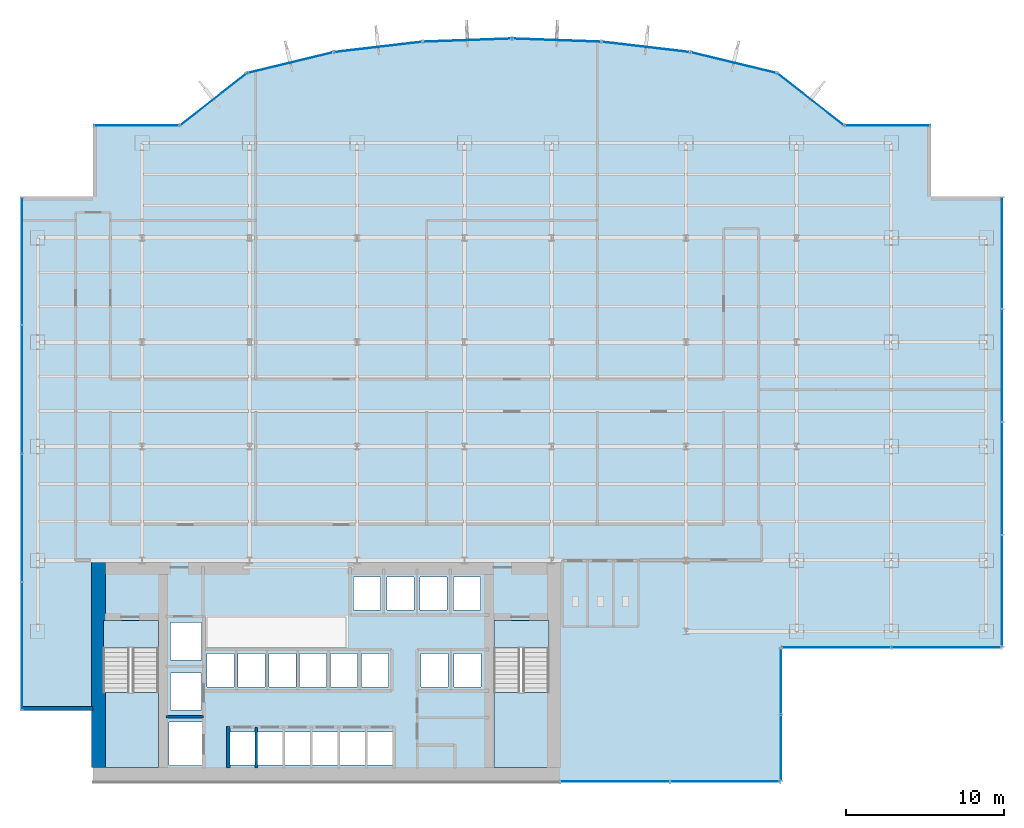
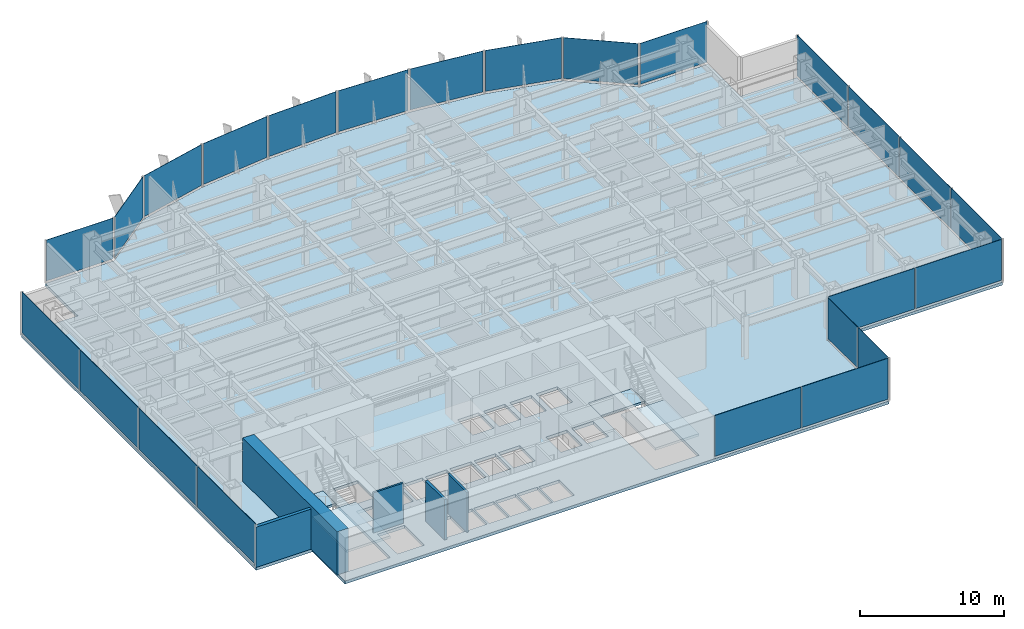
# One storey, part 16 of 22: 24 plates, 5 slabs, 5 walls, 17 elements without a shape of their own.
"""IFC4 building model written with IfcOpenShell, lengths in metres."""

from ifc_helpers import new_model, si_unit, derived_unit, direction, frame, frame_2d, origin, origin_2d, place, context, subcontext, project, spatial, polyline, rectangle, outline, extrude, source, transform, mapped, material, layer, layer_set, type_object, element, aggregate, save


model = new_model("IFC4")

# Units and contexts
model_context = context("Model", 3, precision=1e-05, world=origin(), true_north=direction((0.0, 1.0)))
body_context = subcontext(model_context, "Body", "Model", "MODEL_VIEW")
ifc_project = project(units=[si_unit("LENGTHUNIT", "METRE"), si_unit("AREAUNIT", "SQUARE_METRE"), si_unit("VOLUMEUNIT", "CUBIC_METRE"), si_unit("PLANEANGLEUNIT", "RADIAN"), si_unit("MASSUNIT", "GRAM", prefix="KILO"), derived_unit("THERMALTRANSMITTANCEUNIT", [(si_unit("POWERUNIT", "WATT"), 1), (si_unit("LENGTHUNIT", "METRE"), -2), (si_unit("THERMODYNAMICTEMPERATUREUNIT", "KELVIN"), -1)])], contexts=[model_context])

# Site, building, storey
site_placement = place(None, origin())
site = spatial("IfcSite", under=ifc_project, at=site_placement, CompositionType="ELEMENT")
building_placement = place(site_placement, origin())
building = spatial("IfcBuilding", under=site, at=building_placement, Name="Skarnbrae Concourse Arena and Tower", CompositionType="ELEMENT")
storey_placement = place(building_placement, frame((0.0, 0.0, 69.0)))
storey = spatial("IfcBuildingStorey", under=building, at=storey_placement, Name="L16", CompositionType="ELEMENT", Elevation=69.0)

# Stair, slab
ifc_material_1 = material(Name="Concrete 40 MPa (C40/50)", Category="concrete")
stair_type = type_object("IfcStairType", Name="STAIR-DOGLEG-1650", PredefinedType="HALF_TURN_STAIR", material=ifc_material_1)
stair_1_placement = place(storey_placement, origin())
stair_1 = element("IfcStair", 1, at=stair_1_placement, inside=storey, type_object=stair_type, Name="L16 Protected Exit Stair ST-1", PredefinedType="HALF_TURN_STAIR")
ifc_layer_1 = layer(ifc_material_1, 0.199951171875)
ifc_layer_set_1 = layer_set([ifc_layer_1], Name="Concrete 40 MPa (C40/50)")
slab_type_1 = type_object("IfcSlabType", Name="SLAB-LANDING-200", PredefinedType="LANDING", material=ifc_layer_set_1)
slab_1_placement = place(storey_placement, frame((0.0, 0.0, 1.625)))
slab_1 = element("IfcSlab", 2, at=slab_1_placement, type_object=slab_type_1, Name="ST-1 landing 1", PredefinedType="LANDING", context=body_context, shape_type="SweptSolid", body=[
    extrude(outline(polyline([(5.14990234375, 5.64990234375), (5.14990234375, 0.89990234375), (8.64990234375, 0.89990234375), (8.64990234375, 5.64990234375), (5.14990234375, 5.64990234375)])), origin(), (0.0, 0.0, 1.0), 0.199951171875),
])
aggregate(stair_1, [slab_1])

stair_2_placement = place(storey_placement, origin())
stair_2 = element("IfcStair", 3, at=stair_2_placement, inside=storey, type_object=stair_type, Name="L16 Protected Exit Stair ST-2", PredefinedType="HALF_TURN_STAIR")
slab_2_placement = place(storey_placement, frame((0.0, 0.0, 1.625)))
slab_2 = element("IfcSlab", 4, at=slab_2_placement, type_object=slab_type_1, Name="ST-2 landing 1", PredefinedType="LANDING", context=body_context, shape_type="SweptSolid", body=[
    extrude(outline(polyline([(29.85009765625, 5.64990234375), (29.85009765625, 0.89990234375), (33.35009765625, 0.89990234375), (33.35009765625, 5.64990234375), (29.85009765625, 5.64990234375)])), origin(), (0.0, 0.0, 1.0), 0.199951171875),
])
aggregate(stair_2, [slab_2])

# Slabs
slab_3_placement = place(storey_placement, frame((0.0, 0.0, -0.199951171875)))
element("IfcSlab", 5, at=slab_3_placement, inside=storey, type_object=slab_type_1, Name="L16 Core stair ST1 floor landing", PredefinedType="LANDING", context=body_context, shape_type="SweptSolid", body=[
    extrude(outline(polyline([(5.14990234375, 10.199951171875), (5.14990234375, 8.449951171875), (8.64990234375, 8.449951171875), (8.64990234375, 10.199951171875), (5.14990234375, 10.199951171875)])), origin(), (0.0, 0.0, 1.0), 0.199951171875),
])
slab_4_placement = place(storey_placement, frame((0.0, 0.0, -0.199951171875)))
element("IfcSlab", 6, at=slab_4_placement, inside=storey, type_object=slab_type_1, Name="L16 Core stair ST2 floor landing", PredefinedType="LANDING", context=body_context, shape_type="SweptSolid", body=[
    extrude(outline(polyline([(29.85009765625, 10.199951171875), (29.85009765625, 8.449951171875), (33.35009765625, 8.449951171875), (33.35009765625, 10.199951171875), (29.85009765625, 10.199951171875)])), origin(), (0.0, 0.0, 1.0), 0.199951171875),
])
ifc_layer_2 = layer(ifc_material_1, 0.25)
ifc_layer_set_2 = layer_set([ifc_layer_2], Name="Concrete 40 MPa (C40/50)")
slab_type_2 = type_object("IfcSlabType", Name="SLAB-TOWER-250", PredefinedType="FLOOR", material=ifc_layer_set_2)
slab_5_placement = place(storey_placement, frame((0.0, 0.0, -0.25)))
element("IfcSlab", 7, at=slab_5_placement, inside=storey, type_object=slab_type_2, Name="L16 Structural floor slab", PredefinedType="FLOOR", context=body_context, shape_type="SweptSolid", body=[
    extrude(outline(polyline([(4.5, 0.0), (48.0, 0.0), (48.0, 8.5), (62.0, 8.5), (62.0, 37.0), (57.5, 37.0), (57.5, 41.5), (52.0, 41.5), (47.766357421875, 44.811767578125), (42.2724609375, 46.140380859375), (36.65380859375, 46.796875), (31.0, 47.0), (25.34619140625, 46.796875), (19.7275390625, 46.140380859375), (14.233642578125, 44.811767578125), (10.0, 41.5), (4.5, 41.5), (4.5, 37.0), (0.0, 37.0), (0.0, 4.5), (4.5, 4.5), (4.5, 0.0)]), holes=[polyline([(13.14501953125, 3.155029296875), (14.7548828125, 3.155029296875), (14.7548828125, 1.044921875), (13.14501953125, 1.044921875), (13.14501953125, 3.155029296875)]), polyline([(16.4951171875, 3.155029296875), (16.4951171875, 1.044921875), (14.885009765625, 1.044921875), (14.885009765625, 3.155029296875), (16.4951171875, 3.155029296875)]), polyline([(18.235107421875, 3.155029296875), (18.235107421875, 1.044921875), (16.625, 1.044921875), (16.625, 3.155029296875), (18.235107421875, 3.155029296875)]), polyline([(18.364990234375, 3.155029296875), (19.97509765625, 3.155029296875), (19.97509765625, 1.044921875), (18.364990234375, 1.044921875), (18.364990234375, 3.155029296875)]), polyline([(11.455078125, 3.780029296875), (11.455078125, 1.02001953125), (9.294921875, 1.02001953125), (9.294921875, 3.780029296875), (11.455078125, 3.780029296875)]), polyline([(8.64990234375, 0.89990234375), (5.14990234375, 0.89990234375), (5.14990234375, 10.199951171875), (8.64990234375, 10.199951171875), (8.64990234375, 0.89990234375)]), polyline([(9.39501953125, 6.8798828125), (11.35498046875, 6.8798828125), (11.35498046875, 4.52001953125), (9.39501953125, 4.52001953125), (9.39501953125, 6.8798828125)]), polyline([(13.429931640625, 8.10498046875), (13.429931640625, 5.9951171875), (11.719970703125, 5.9951171875), (11.719970703125, 8.10498046875), (13.429931640625, 8.10498046875)]), polyline([(15.3798828125, 8.10498046875), (15.3798828125, 5.9951171875), (13.669921875, 5.9951171875), (13.669921875, 8.10498046875), (15.3798828125, 8.10498046875)]), polyline([(15.6201171875, 8.10498046875), (17.330078125, 8.10498046875), (17.330078125, 5.9951171875), (15.6201171875, 5.9951171875), (15.6201171875, 8.10498046875)]), polyline([(19.280029296875, 8.10498046875), (19.280029296875, 5.9951171875), (17.570068359375, 5.9951171875), (17.570068359375, 8.10498046875), (19.280029296875, 8.10498046875)]), polyline([(11.35498046875, 10.054931640625), (11.35498046875, 7.695068359375), (9.39501953125, 7.695068359375), (9.39501953125, 10.054931640625), (11.35498046875, 10.054931640625)]), polyline([(21.715087890625, 3.155029296875), (21.715087890625, 1.044921875), (20.10498046875, 1.044921875), (20.10498046875, 3.155029296875), (21.715087890625, 3.155029296875)]), polyline([(23.455078125, 3.155029296875), (23.455078125, 1.044921875), (21.844970703125, 1.044921875), (21.844970703125, 3.155029296875), (23.455078125, 3.155029296875)]), polyline([(33.35009765625, 10.199951171875), (33.35009765625, 0.89990234375), (29.85009765625, 0.89990234375), (29.85009765625, 10.199951171875), (33.35009765625, 10.199951171875)]), polyline([(21.22998046875, 8.10498046875), (21.22998046875, 5.9951171875), (19.52001953125, 5.9951171875), (19.52001953125, 8.10498046875), (21.22998046875, 8.10498046875)]), polyline([(23.179931640625, 8.10498046875), (23.179931640625, 5.9951171875), (21.469970703125, 5.9951171875), (21.469970703125, 8.10498046875), (23.179931640625, 8.10498046875)]), polyline([(25.235107421875, 8.10498046875), (26.945068359375, 8.10498046875), (26.945068359375, 5.9951171875), (25.235107421875, 5.9951171875), (25.235107421875, 8.10498046875)]), polyline([(29.044921875, 8.10498046875), (29.044921875, 5.9951171875), (27.3349609375, 5.9951171875), (27.3349609375, 8.10498046875), (29.044921875, 8.10498046875)]), polyline([(22.695068359375, 12.955078125), (22.695068359375, 10.844970703125), (20.985107421875, 10.844970703125), (20.985107421875, 12.955078125), (22.695068359375, 12.955078125)]), polyline([(23.0849609375, 12.955078125), (24.794921875, 12.955078125), (24.794921875, 10.844970703125), (23.0849609375, 10.844970703125), (23.0849609375, 12.955078125)]), polyline([(26.89501953125, 12.955078125), (26.89501953125, 10.844970703125), (25.18505859375, 10.844970703125), (25.18505859375, 12.955078125), (26.89501953125, 12.955078125)]), polyline([(28.9951171875, 12.955078125), (28.9951171875, 10.844970703125), (27.284912109375, 10.844970703125), (27.284912109375, 12.955078125), (28.9951171875, 12.955078125)])]), origin(), (0.0, 0.0, 1.0), 0.25),
])

# Curtain wall, plates
ifc_material_2 = material(Name="Bronze anodised aluminium 6063-T6", Category="aluminium")
curtain_wall_type = type_object("IfcCurtainWallType", Name="CW-SYS-02-LOWZONE", PredefinedType="USERDEFINED", material=ifc_material_2)
curtain_wall_1_placement = place(storey_placement, origin())
curtain_wall_1 = element("IfcCurtainWall", 8, at=curtain_wall_1_placement, inside=storey, type_object=curtain_wall_type, Name="L16 Unitised curtain wall CW-L16-SE-SPINE", ObjectType="UNITISED CURTAIN WALL", PredefinedType="USERDEFINED")
ifc_material_3 = material(Name="Low-E triple insulating glass", Category="glass")
ifc_layer_3 = layer(ifc_material_3, 0.031982421875)
ifc_layer_set_3 = layer_set([ifc_layer_3], Name="Low-E triple insulating glass")
plate_type = type_object("IfcPlateType", Name="CWP-CW-02", PredefinedType="CURTAIN_PANEL", material=ifc_layer_set_3)
shared_shape_1 = source(origin(), body_context, "Body", "SweptSolid", [
    extrude(rectangle(XDim=6.8798828125, YDim=0.031982421875, at=origin_2d()), origin(), (0.0, 0.0, 1.0), 3.4599609375),
])
plate_1_placement = place(storey_placement, frame((37.52001953125, 0.0, 0.18994140625), z_axis=(0.0, 0.0, 1.0), x_axis=(1.0, 0.0, 0.0)))
plate_1 = element("IfcPlate", 9, at=plate_1_placement, type_object=plate_type, Name="CW-L16-SE-SPINE Low-E Glazing Panel 1", PredefinedType="CURTAIN_PANEL", context=body_context, shape_type="MappedRepresentation", body=[
    mapped(shared_shape_1, transform((0.0, 0.0, 0.0))),
])
plate_2_placement = place(storey_placement, frame((44.47998046875, 0.0, 0.18994140625), z_axis=(0.0, 0.0, 1.0), x_axis=(1.0, 0.0, 0.0)))
plate_2 = element("IfcPlate", 10, at=plate_2_placement, type_object=plate_type, Name="CW-L16-SE-SPINE Low-E Glazing Panel 2", PredefinedType="CURTAIN_PANEL", context=body_context, shape_type="MappedRepresentation", body=[
    mapped(shared_shape_1, transform((0.0, 0.0, 0.0))),
])
aggregate(curtain_wall_1, [plate_1, plate_2])

curtain_wall_2_placement = place(storey_placement, origin())
curtain_wall_2 = element("IfcCurtainWall", 11, at=curtain_wall_2_placement, inside=storey, type_object=curtain_wall_type, Name="L16 Unitised curtain wall CW-L16-E03", ObjectType="UNITISED CURTAIN WALL", PredefinedType="USERDEFINED")
plate_3_placement = place(storey_placement, frame((51.52001953125, 8.5, 0.18994140625), z_axis=(0.0, 0.0, 1.0), x_axis=(1.0, 0.0, 0.0)))
plate_3 = element("IfcPlate", 12, at=plate_3_placement, type_object=plate_type, Name="CW-L16-E03 Low-E Glazing Panel 1", PredefinedType="CURTAIN_PANEL", context=body_context, shape_type="MappedRepresentation", body=[
    mapped(shared_shape_1, transform((0.0, 0.0, 0.0))),
])
plate_4_placement = place(storey_placement, frame((58.47998046875, 8.5, 0.18994140625), z_axis=(0.0, 0.0, 1.0), x_axis=(1.0, 0.0, 0.0)))
plate_4 = element("IfcPlate", 13, at=plate_4_placement, type_object=plate_type, Name="CW-L16-E03 Low-E Glazing Panel 2", PredefinedType="CURTAIN_PANEL", context=body_context, shape_type="MappedRepresentation", body=[
    mapped(shared_shape_1, transform((0.0, 0.0, 0.0))),
])
aggregate(curtain_wall_2, [plate_3, plate_4])

curtain_wall_3_placement = place(storey_placement, origin())
curtain_wall_3 = element("IfcCurtainWall", 14, at=curtain_wall_3_placement, inside=storey, type_object=curtain_wall_type, Name="L16 Unitised curtain wall CW-L16-E02", ObjectType="UNITISED CURTAIN WALL", PredefinedType="USERDEFINED")
shared_shape_2 = source(origin(), body_context, "Body", "SweptSolid", [
    extrude(rectangle(XDim=4.1298828125, YDim=0.031982421875, at=origin_2d()), origin(), (0.0, 0.0, 1.0), 3.4599609375),
])
plate_5_placement = place(storey_placement, frame((48.0, 2.14501953125, 0.18994140625), z_axis=(0.0, 0.0, 1.0), x_axis=(0.0, 1.0, 0.0)))
plate_5 = element("IfcPlate", 15, at=plate_5_placement, type_object=plate_type, Name="CW-L16-E02 Low-E Glazing Panel 1", PredefinedType="CURTAIN_PANEL", context=body_context, shape_type="MappedRepresentation", body=[
    mapped(shared_shape_2, transform((0.0, 0.0, 0.0))),
])
plate_6_placement = place(storey_placement, frame((48.0, 6.35498046875, 0.18994140625), z_axis=(0.0, 0.0, 1.0), x_axis=(0.0, 1.0, 0.0)))
plate_6 = element("IfcPlate", 16, at=plate_6_placement, type_object=plate_type, Name="CW-L16-E02 Low-E Glazing Panel 2", PredefinedType="CURTAIN_PANEL", context=body_context, shape_type="MappedRepresentation", body=[
    mapped(shared_shape_2, transform((0.0, 0.0, 0.0))),
])
aggregate(curtain_wall_3, [plate_5, plate_6])

curtain_wall_4_placement = place(storey_placement, origin())
curtain_wall_4 = element("IfcCurtainWall", 17, at=curtain_wall_4_placement, inside=storey, type_object=curtain_wall_type, Name="L16 Unitised curtain wall CW-L16-E04", ObjectType="UNITISED CURTAIN WALL", PredefinedType="USERDEFINED")
shared_shape_3 = source(origin(), body_context, "Body", "SweptSolid", [
    extrude(rectangle(XDim=7.0048828125, YDim=0.031982421875, at=origin_2d()), origin(), (0.0, 0.0, 1.0), 3.4599609375),
])
plate_7_placement = place(storey_placement, frame((62.0, 12.08251953125, 0.18994140625), z_axis=(0.0, 0.0, 1.0), x_axis=(0.0, 1.0, 0.0)))
plate_7 = element("IfcPlate", 18, at=plate_7_placement, type_object=plate_type, Name="CW-L16-E04 Low-E Glazing Panel 1", PredefinedType="CURTAIN_PANEL", context=body_context, shape_type="MappedRepresentation", body=[
    mapped(shared_shape_3, transform((0.0, 0.0, 0.0))),
])
plate_8_placement = place(storey_placement, frame((62.0, 33.41748046875, 0.18994140625), z_axis=(0.0, 0.0, 1.0), x_axis=(0.0, 1.0, 0.0)))
plate_8 = element("IfcPlate", 19, at=plate_8_placement, type_object=plate_type, Name="CW-L16-E04 Low-E Glazing Panel 4", PredefinedType="CURTAIN_PANEL", context=body_context, shape_type="MappedRepresentation", body=[
    mapped(shared_shape_3, transform((0.0, 0.0, 0.0))),
])
shared_shape_4 = source(origin(), body_context, "Body", "SweptSolid", [
    extrude(rectangle(XDim=7.044921875, YDim=0.031982421875, at=origin_2d()), origin(), (0.0, 0.0, 1.0), 3.4599609375),
])
plate_9_placement = place(storey_placement, frame((62.0, 19.1875, 0.18994140625), z_axis=(0.0, 0.0, 1.0), x_axis=(0.0, 1.0, 0.0)))
plate_9 = element("IfcPlate", 20, at=plate_9_placement, type_object=plate_type, Name="CW-L16-E04 Low-E Glazing Panel 2", PredefinedType="CURTAIN_PANEL", context=body_context, shape_type="MappedRepresentation", body=[
    mapped(shared_shape_4, transform((0.0, 0.0, 0.0))),
])
plate_10_placement = place(storey_placement, frame((62.0, 26.3125, 0.18994140625), z_axis=(0.0, 0.0, 1.0), x_axis=(0.0, 1.0, 0.0)))
plate_10 = element("IfcPlate", 21, at=plate_10_placement, type_object=plate_type, Name="CW-L16-E04 Low-E Glazing Panel 3", PredefinedType="CURTAIN_PANEL", context=body_context, shape_type="MappedRepresentation", body=[
    mapped(shared_shape_4, transform((0.0, 0.0, 0.0))),
])
aggregate(curtain_wall_4, [plate_7, plate_9, plate_10, plate_8])

# Curtain wall, plate
curtain_wall_5_placement = place(storey_placement, origin())
curtain_wall_5 = element("IfcCurtainWall", 22, at=curtain_wall_5_placement, inside=storey, type_object=curtain_wall_type, Name="L16 Unitised curtain wall CW-L16-E07", ObjectType="UNITISED CURTAIN WALL", PredefinedType="USERDEFINED")
shared_shape_5 = source(origin(), body_context, "Body", "SweptSolid", [
    extrude(rectangle(XDim=5.340087890625, YDim=0.031982421875, at=origin_2d()), origin(), (0.0, 0.0, 1.0), 3.4599609375),
])
plate_11_placement = place(storey_placement, frame((54.75, 41.5, 0.18994140625), z_axis=(0.0, 0.0, 1.0), x_axis=(-1.0, 0.0, 0.0)))
plate_11 = element("IfcPlate", 23, at=plate_11_placement, type_object=plate_type, Name="CW-L16-E07 Low-E Glazing Panel 1", PredefinedType="CURTAIN_PANEL", context=body_context, shape_type="MappedRepresentation", body=[
    mapped(shared_shape_5, transform((0.0, 0.0, 0.0))),
])
aggregate(curtain_wall_5, [plate_11])

curtain_wall_6_placement = place(storey_placement, origin())
curtain_wall_6 = element("IfcCurtainWall", 24, at=curtain_wall_6_placement, inside=storey, type_object=curtain_wall_type, Name="L16 Unitised curtain wall CW-L16-E16", ObjectType="UNITISED CURTAIN WALL", PredefinedType="USERDEFINED")
plate_12_placement = place(storey_placement, frame((7.25, 41.5, 0.18994140625), z_axis=(0.0, 0.0, 1.0), x_axis=(-1.0, 0.0, 0.0)))
plate_12 = element("IfcPlate", 25, at=plate_12_placement, type_object=plate_type, Name="CW-L16-E16 Low-E Glazing Panel 1", PredefinedType="CURTAIN_PANEL", context=body_context, shape_type="MappedRepresentation", body=[
    mapped(shared_shape_5, transform((0.0, 0.0, 0.0))),
])
aggregate(curtain_wall_6, [plate_12])

curtain_wall_7_placement = place(storey_placement, origin())
curtain_wall_7 = element("IfcCurtainWall", 26, at=curtain_wall_7_placement, inside=storey, type_object=curtain_wall_type, Name="L16 Unitised curtain wall CW-L16-E08", ObjectType="UNITISED CURTAIN WALL", PredefinedType="USERDEFINED")
shared_shape_6 = source(origin(), body_context, "Body", "SweptSolid", [
    extrude(rectangle(XDim=5.215087890625, YDim=0.031982421875, at=origin_2d()), origin(), (0.0, 0.0, 1.0), 3.4599609375),
])
plate_13_placement = place(storey_placement, frame((49.88330078125, 43.156005859375, 0.18994140625), z_axis=(0.0, 0.0, 1.0), x_axis=(-0.787651726054, 0.616120733658, 0.0)))
plate_13 = element("IfcPlate", 27, at=plate_13_placement, type_object=plate_type, Name="CW-L16-E08 Low-E Glazing Panel 1", PredefinedType="CURTAIN_PANEL", context=body_context, shape_type="MappedRepresentation", body=[
    mapped(shared_shape_6, transform((0.0, 0.0, 0.0))),
])
aggregate(curtain_wall_7, [plate_13])

curtain_wall_8_placement = place(storey_placement, origin())
curtain_wall_8 = element("IfcCurtainWall", 28, at=curtain_wall_8_placement, inside=storey, type_object=curtain_wall_type, Name="L16 Unitised curtain wall CW-L16-E15", ObjectType="UNITISED CURTAIN WALL", PredefinedType="USERDEFINED")
plate_14_placement = place(storey_placement, frame((12.11669921875, 43.156005859375, 0.18994140625), z_axis=(0.0, 0.0, 1.0), x_axis=(-0.787651726054, -0.616120733658, 0.0)))
plate_14 = element("IfcPlate", 29, at=plate_14_placement, type_object=plate_type, Name="CW-L16-E15 Low-E Glazing Panel 1", PredefinedType="CURTAIN_PANEL", context=body_context, shape_type="MappedRepresentation", body=[
    mapped(shared_shape_6, transform((0.0, 0.0, 0.0))),
])
aggregate(curtain_wall_8, [plate_14])

curtain_wall_9_placement = place(storey_placement, origin())
curtain_wall_9 = element("IfcCurtainWall", 30, at=curtain_wall_9_placement, inside=storey, type_object=curtain_wall_type, Name="L16 Unitised curtain wall CW-L16-E09", ObjectType="UNITISED CURTAIN WALL", PredefinedType="USERDEFINED")
shared_shape_7 = source(origin(), body_context, "Body", "SweptSolid", [
    extrude(rectangle(XDim=5.4921875, YDim=0.031982421875, at=origin_2d()), origin(), (0.0, 0.0, 1.0), 3.4599609375),
])
plate_15_placement = place(storey_placement, frame((45.019287109375, 45.47607421875, 0.18994140625), z_axis=(0.0, 0.0, 1.0), x_axis=(-0.971973721569, 0.235089524607, 0.0)))
plate_15 = element("IfcPlate", 31, at=plate_15_placement, type_object=plate_type, Name="CW-L16-E09 Low-E Glazing Panel 1", PredefinedType="CURTAIN_PANEL", context=body_context, shape_type="MappedRepresentation", body=[
    mapped(shared_shape_7, transform((0.0, 0.0, 0.0))),
])
aggregate(curtain_wall_9, [plate_15])

curtain_wall_10_placement = place(storey_placement, origin())
curtain_wall_10 = element("IfcCurtainWall", 32, at=curtain_wall_10_placement, inside=storey, type_object=curtain_wall_type, Name="L16 Unitised curtain wall CW-L16-E14", ObjectType="UNITISED CURTAIN WALL", PredefinedType="USERDEFINED")
plate_16_placement = place(storey_placement, frame((16.980712890625, 45.47607421875, 0.18994140625), z_axis=(0.0, 0.0, 1.0), x_axis=(-0.971973721569, -0.235089524607, 0.0)))
plate_16 = element("IfcPlate", 33, at=plate_16_placement, type_object=plate_type, Name="CW-L16-E14 Low-E Glazing Panel 1", PredefinedType="CURTAIN_PANEL", context=body_context, shape_type="MappedRepresentation", body=[
    mapped(shared_shape_7, transform((0.0, 0.0, 0.0))),
])
aggregate(curtain_wall_10, [plate_16])

curtain_wall_11_placement = place(storey_placement, origin())
curtain_wall_11 = element("IfcCurtainWall", 34, at=curtain_wall_11_placement, inside=storey, type_object=curtain_wall_type, Name="L16 Unitised curtain wall CW-L16-E10", ObjectType="UNITISED CURTAIN WALL", PredefinedType="USERDEFINED")
shared_shape_8 = source(origin(), body_context, "Body", "SweptSolid", [
    extrude(rectangle(XDim=5.49658203125, YDim=0.031982421875, at=origin_2d()), origin(), (0.0, 0.0, 1.0), 3.4599609375),
])
plate_17_placement = place(storey_placement, frame((39.463134765625, 46.46875, 0.18994140625), z_axis=(0.0, 0.0, 1.0), x_axis=(-0.99324457001, 0.116039752435, 0.0)))
plate_17 = element("IfcPlate", 35, at=plate_17_placement, type_object=plate_type, Name="CW-L16-E10 Low-E Glazing Panel 1", PredefinedType="CURTAIN_PANEL", context=body_context, shape_type="MappedRepresentation", body=[
    mapped(shared_shape_8, transform((0.0, 0.0, 0.0))),
])
aggregate(curtain_wall_11, [plate_17])

curtain_wall_12_placement = place(storey_placement, origin())
curtain_wall_12 = element("IfcCurtainWall", 36, at=curtain_wall_12_placement, inside=storey, type_object=curtain_wall_type, Name="L16 Unitised curtain wall CW-L16-E13", ObjectType="UNITISED CURTAIN WALL", PredefinedType="USERDEFINED")
plate_18_placement = place(storey_placement, frame((22.536865234375, 46.46875, 0.18994140625), z_axis=(0.0, 0.0, 1.0), x_axis=(-0.99324457001, -0.116039752435, 0.0)))
plate_18 = element("IfcPlate", 37, at=plate_18_placement, type_object=plate_type, Name="CW-L16-E13 Low-E Glazing Panel 1", PredefinedType="CURTAIN_PANEL", context=body_context, shape_type="MappedRepresentation", body=[
    mapped(shared_shape_8, transform((0.0, 0.0, 0.0))),
])
aggregate(curtain_wall_12, [plate_18])

curtain_wall_13_placement = place(storey_placement, origin())
curtain_wall_13 = element("IfcCurtainWall", 38, at=curtain_wall_13_placement, inside=storey, type_object=curtain_wall_type, Name="L16 Unitised curtain wall CW-L16-E11", ObjectType="UNITISED CURTAIN WALL", PredefinedType="USERDEFINED")
shared_shape_9 = source(origin(), body_context, "Body", "SweptSolid", [
    extrude(rectangle(XDim=5.49755859375, YDim=0.031982421875, at=origin_2d()), origin(), (0.0, 0.0, 1.0), 3.4599609375),
])
plate_19_placement = place(storey_placement, frame((33.826904296875, 46.8984375, 0.18994140625), z_axis=(0.0, 0.0, 1.0), x_axis=(-0.999355425188, 0.035898943527, 0.0)))
plate_19 = element("IfcPlate", 39, at=plate_19_placement, type_object=plate_type, Name="CW-L16-E11 Low-E Glazing Panel 1", PredefinedType="CURTAIN_PANEL", context=body_context, shape_type="MappedRepresentation", body=[
    mapped(shared_shape_9, transform((0.0, 0.0, 0.0))),
])
aggregate(curtain_wall_13, [plate_19])

curtain_wall_14_placement = place(storey_placement, origin())
curtain_wall_14 = element("IfcCurtainWall", 40, at=curtain_wall_14_placement, inside=storey, type_object=curtain_wall_type, Name="L16 Unitised curtain wall CW-L16-E12", ObjectType="UNITISED CURTAIN WALL", PredefinedType="USERDEFINED")
plate_20_placement = place(storey_placement, frame((28.173095703125, 46.8984375, 0.18994140625), z_axis=(0.0, 0.0, 1.0), x_axis=(-0.999355425188, -0.035898943527, 0.0)))
plate_20 = element("IfcPlate", 41, at=plate_20_placement, type_object=plate_type, Name="CW-L16-E12 Low-E Glazing Panel 1", PredefinedType="CURTAIN_PANEL", context=body_context, shape_type="MappedRepresentation", body=[
    mapped(shared_shape_9, transform((0.0, 0.0, 0.0))),
])
aggregate(curtain_wall_14, [plate_20])

# Curtain wall, plates
curtain_wall_15_placement = place(storey_placement, origin())
curtain_wall_15 = element("IfcCurtainWall", 42, at=curtain_wall_15_placement, inside=storey, type_object=curtain_wall_type, Name="L16 Unitised curtain wall CW-L16-E19", ObjectType="UNITISED CURTAIN WALL", PredefinedType="USERDEFINED")
shared_shape_10 = source(origin(), body_context, "Body", "SweptSolid", [
    extrude(rectangle(XDim=8.0048828125, YDim=0.031982421875, at=origin_2d()), origin(), (0.0, 0.0, 1.0), 3.4599609375),
])
plate_21_placement = place(storey_placement, frame((0.0, 32.91748046875, 0.18994140625), z_axis=(0.0, 0.0, 1.0), x_axis=(0.0, -1.0, 0.0)))
plate_21 = element("IfcPlate", 43, at=plate_21_placement, type_object=plate_type, Name="CW-L16-E19 Low-E Glazing Panel 1", PredefinedType="CURTAIN_PANEL", context=body_context, shape_type="MappedRepresentation", body=[
    mapped(shared_shape_10, transform((0.0, 0.0, 0.0))),
])
plate_22_placement = place(storey_placement, frame((0.0, 8.58251953125, 0.18994140625), z_axis=(0.0, 0.0, 1.0), x_axis=(0.0, -1.0, 0.0)))
plate_22 = element("IfcPlate", 44, at=plate_22_placement, type_object=plate_type, Name="CW-L16-E19 Low-E Glazing Panel 4", PredefinedType="CURTAIN_PANEL", context=body_context, shape_type="MappedRepresentation", body=[
    mapped(shared_shape_10, transform((0.0, 0.0, 0.0))),
])
shared_shape_11 = source(origin(), body_context, "Body", "SweptSolid", [
    extrude(rectangle(XDim=8.044921875, YDim=0.031982421875, at=origin_2d()), origin(), (0.0, 0.0, 1.0), 3.4599609375),
])
plate_23_placement = place(storey_placement, frame((0.0, 24.8125, 0.18994140625), z_axis=(0.0, 0.0, 1.0), x_axis=(0.0, -1.0, 0.0)))
plate_23 = element("IfcPlate", 45, at=plate_23_placement, type_object=plate_type, Name="CW-L16-E19 Low-E Glazing Panel 2", PredefinedType="CURTAIN_PANEL", context=body_context, shape_type="MappedRepresentation", body=[
    mapped(shared_shape_11, transform((0.0, 0.0, 0.0))),
])
plate_24_placement = place(storey_placement, frame((0.0, 16.6875, 0.18994140625), z_axis=(0.0, 0.0, 1.0), x_axis=(0.0, -1.0, 0.0)))
plate_24 = element("IfcPlate", 46, at=plate_24_placement, type_object=plate_type, Name="CW-L16-E19 Low-E Glazing Panel 3", PredefinedType="CURTAIN_PANEL", context=body_context, shape_type="MappedRepresentation", body=[
    mapped(shared_shape_11, transform((0.0, 0.0, 0.0))),
])
aggregate(curtain_wall_15, [plate_21, plate_23, plate_24, plate_22])

# Walls
ifc_material_4 = material(Name="Concrete 70 MPa (C70/85)", Category="concrete")
ifc_layer_4 = layer(ifc_material_4, 0.89990234375)
ifc_layer_set_4 = layer_set([ifc_layer_4], Name="Concrete 70 MPa (C70/85)")
wall_type_1 = type_object("IfcWallType", Name="WALL-CORE-900-C70", PredefinedType="SHEAR", material=ifc_layer_set_4)
shared_shape_12 = source(origin(), body_context, "Body", "SweptSolid", [
    extrude(rectangle(XDim=13.10009765625, YDim=0.89990234375, at=frame_2d((6.550048828125, 0.0))), origin(), (0.0, 0.0, 1.0), 3.64990234375),
])
wall_1_placement = place(storey_placement, frame((4.85009765625, 0.89990234375, 0.0), z_axis=(0.0, 0.0, 1.0), x_axis=(0.0, 1.0, 0.0)))
element("IfcWall", 47, at=wall_1_placement, inside=storey, type_object=wall_type_1, Name="L16 Rear core shear wall CW-W", PredefinedType="SHEAR", context=body_context, shape_type="MappedRepresentation", body=[
    mapped(shared_shape_12, transform((0.0, 0.0, 0.0))),
])
ifc_material_5 = material(Name="Precast concrete 40 MPa (C40/50)", Category="concrete")
ifc_layer_5 = layer(ifc_material_5, 0.25)
ifc_layer_set_5 = layer_set([ifc_layer_5], Name="Precast concrete 40 MPa (C40/50)")
wall_type_2 = type_object("IfcWallType", Name="WALL-EXT-SPANDREL-250", PredefinedType="STANDARD", material=ifc_layer_set_5)
shared_shape_13 = source(origin(), body_context, "Body", "SweptSolid", [
    extrude(rectangle(XDim=4.5, YDim=0.25, at=frame_2d((2.25, 0.0))), origin(), (0.0, 0.0, 1.0), 3.39990234375),
])
wall_2_placement = place(storey_placement, frame((0.0, 4.625, 0.0), z_axis=(0.0, 0.0, 1.0), x_axis=(1.0, 0.0, 0.0)))
element("IfcWall", 48, at=wall_2_placement, inside=storey, type_object=wall_type_2, Name="L16 Notched corner insulated return wall 20", PredefinedType="STANDARD", context=body_context, shape_type="MappedRepresentation", body=[
    mapped(shared_shape_13, transform((0.0, 0.0, 0.0))),
])
ifc_material_6 = material(Name="Gypsum board on cold-formed steel studs", Category="steel")
ifc_layer_6 = layer(ifc_material_6, 0.14990234375)
ifc_layer_set_6 = layer_set([ifc_layer_6], Name="Gypsum board on cold-formed steel studs")
wall_type_3 = type_object("IfcWallType", Name="WALL-PART-150", PredefinedType="PARTITIONING", material=ifc_layer_set_6)
shared_shape_14 = source(origin(), body_context, "Body", "SweptSolid", [
    extrude(rectangle(XDim=2.39990234375, YDim=0.14990234375, at=frame_2d((1.199951171875, 0.0))), origin(), (0.0, 0.0, 1.0), 3.39990234375),
])
wall_3_placement = place(storey_placement, frame((9.10009765625, 4.10009765625, 0.0), z_axis=(0.0, 0.0, 1.0), x_axis=(1.0, 0.0, 0.0)))
element("IfcWall", 49, at=wall_3_placement, inside=storey, type_object=wall_type_3, Name="L16 Interior partition wall W-L16-FL-D1", PredefinedType="PARTITIONING", context=body_context, shape_type="MappedRepresentation", body=[
    mapped(shared_shape_14, transform((0.0, 0.0, 0.0))),
])
ifc_layer_7 = layer(ifc_material_6, 0.199951171875)
ifc_layer_set_7 = layer_set([ifc_layer_7], Name="Gypsum board on cold-formed steel studs")
wall_type_4 = type_object("IfcWallType", Name="WALL-PART-200-2HR", PredefinedType="PARTITIONING", material=ifc_layer_set_7)
shared_shape_15 = source(origin(), body_context, "Body", "SweptSolid", [
    extrude(rectangle(XDim=2.64990234375, YDim=0.199951171875, at=frame_2d((1.324951171875, 0.0))), origin(), (0.0, 0.0, 1.0), 3.39990234375),
])
wall_4_placement = place(storey_placement, frame((13.050048828125, 0.85009765625, 0.0), z_axis=(0.0, 0.0, 1.0), x_axis=(0.0, 1.0, 0.0)))
element("IfcWall", 50, at=wall_4_placement, inside=storey, type_object=wall_type_4, Name="L16 Interior partition wall W-L16-B1-W", PredefinedType="PARTITIONING", context=body_context, shape_type="MappedRepresentation", body=[
    mapped(shared_shape_15, transform((0.0, 0.0, 0.0))),
])
shared_shape_16 = source(origin(), body_context, "Body", "SweptSolid", [
    extrude(rectangle(XDim=2.599853515625, YDim=0.14990234375, at=frame_2d((1.2998046875, 0.0))), origin(), (0.0, 0.0, 1.0), 3.39990234375),
])
wall_5_placement = place(storey_placement, frame((14.820068359375, 0.85009765625, 0.0), z_axis=(0.0, 0.0, 1.0), x_axis=(0.0, 1.0, 0.0)))
element("IfcWall", 51, at=wall_5_placement, inside=storey, type_object=wall_type_3, Name="L16 Interior partition wall W-L16-B1-P1", PredefinedType="PARTITIONING", context=body_context, shape_type="MappedRepresentation", body=[
    mapped(shared_shape_16, transform((0.0, 0.0, 0.0))),
])

save(model, "model.ifc")
